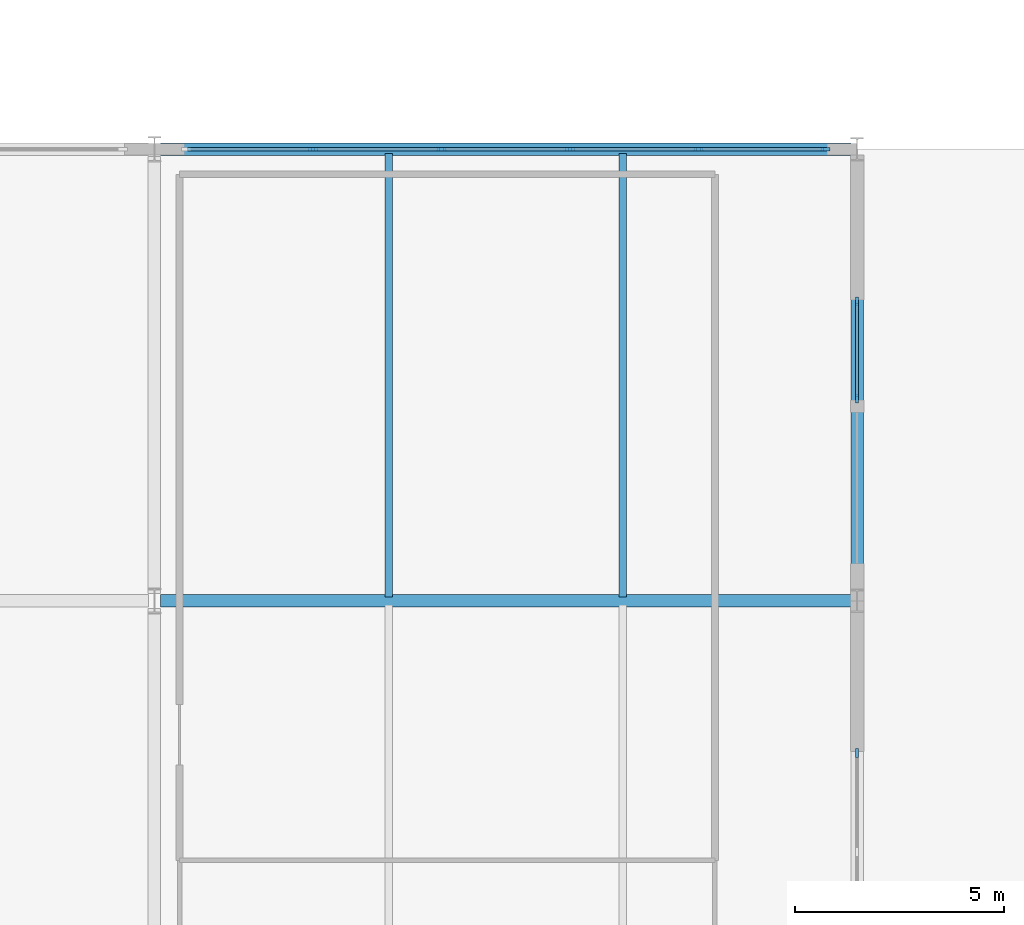
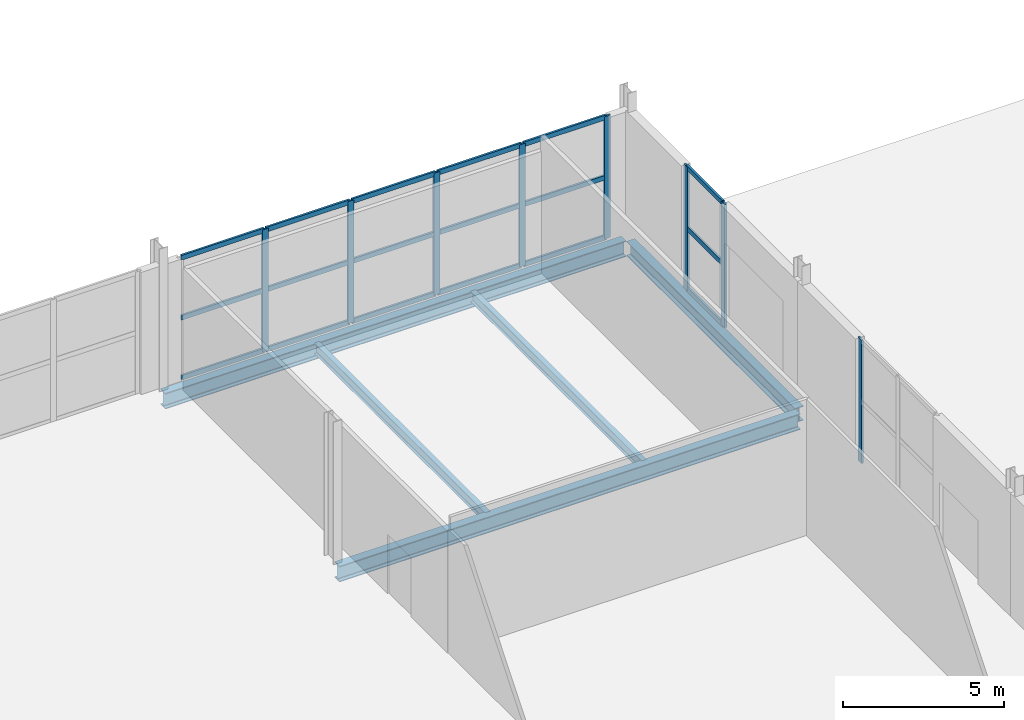
# One storey, part 50 of 87: 26 members, 5 beams, 3 elements without a shape of their own.
"""IFC4 building model written with IfcOpenShell, lengths in metres."""

from ifc_helpers import new_model, si_unit, direction, frame, origin, origin_2d, place, context, subcontext, project, spatial, rectangle, i_section, extrude, material, material_profile, profile_set, type_object, element, aggregate, save


model = new_model("IFC4")

# Units and contexts
model_context = context("Model", 3, precision=1e-05, world=origin(), true_north=direction((0.0, 1.0)))
body_context = subcontext(model_context, "Body", "Model", "MODEL_VIEW")
ifc_project = project(units=[si_unit("LENGTHUNIT", "METRE"), si_unit("AREAUNIT", "SQUARE_METRE"), si_unit("VOLUMEUNIT", "CUBIC_METRE"), si_unit("PLANEANGLEUNIT", "RADIAN"), si_unit("MASSUNIT", "GRAM", prefix="KILO")], contexts=[model_context])

# Site, building, storey
site_placement = place(None, origin())
site = spatial("IfcSite", under=ifc_project, at=site_placement, CompositionType="ELEMENT")
building_placement = place(site_placement, origin())
building = spatial("IfcBuilding", under=site, at=building_placement, Name="Kimbaza Rail Terminus", CompositionType="ELEMENT")
storey_placement = place(building_placement, origin())
storey = spatial("IfcBuildingStorey", under=building, at=storey_placement, Name="L00", CompositionType="ELEMENT", Elevation=0.0)

# Curtain wall, members
ifc_material_1 = material(Name="Anodised aluminium framing and solar low-E glazing", Category="aluminium")
curtain_wall_type = type_object("IfcCurtainWallType", Name="ARC-CW-TH1", PredefinedType="USERDEFINED", material=ifc_material_1)
curtain_wall_1_placement = place(storey_placement, origin())
curtain_wall_1 = element("IfcCurtainWall", 1, at=curtain_wall_1_placement, inside=storey, type_object=curtain_wall_type, Name="Ticket Hall Wing E Curtain Wall L00.2", ObjectType="UNITISED CURTAIN WALL", PredefinedType="USERDEFINED")
ifc_material_2 = material(Name="Anodised architectural aluminium", Category="aluminium")
ifc_material_profile_1 = material_profile(ifc_material_2, rectangle(XDim=0.074951171875, YDim=0.219970703125, at=origin_2d()), Name="MULLION 75x220")
ifc_profile_set_1 = profile_set([ifc_material_profile_1], Name="Anodised architectural aluminium")
member_type_1 = type_object("IfcMemberType", Name="ARC-CWM-01", PredefinedType="MULLION", material=ifc_profile_set_1)
member_1_placement = place(storey_placement, frame((176.592041015625, 91.0, 0.0), z_axis=(0.0, 0.0, 1.0), x_axis=(0.0, 1.0, 0.0)))
member_1 = element("IfcMember", 2, at=member_1_placement, type_object=member_type_1, Name="CW-01 mullion 2", PredefinedType="MULLION", context=body_context, shape_type="SweptSolid", body=[
    extrude(rectangle(XDim=0.074951171875, YDim=0.219970703125, at=origin_2d()), origin(), (0.0, 0.0, 1.0), 4.625),
])
member_2_placement = place(storey_placement, frame((179.6640625, 91.0, 0.0), z_axis=(0.0, 0.0, 1.0), x_axis=(0.0, 1.0, 0.0)))
member_2 = element("IfcMember", 3, at=member_2_placement, type_object=member_type_1, Name="CW-01 mullion 3", PredefinedType="MULLION", context=body_context, shape_type="SweptSolid", body=[
    extrude(rectangle(XDim=0.074951171875, YDim=0.219970703125, at=origin_2d()), origin(), (0.0, 0.0, 1.0), 4.625),
])
member_3_placement = place(storey_placement, frame((182.736083984375, 91.0, 0.0), z_axis=(0.0, 0.0, 1.0), x_axis=(0.0, 1.0, 0.0)))
member_3 = element("IfcMember", 4, at=member_3_placement, type_object=member_type_1, Name="CW-01 mullion 4", PredefinedType="MULLION", context=body_context, shape_type="SweptSolid", body=[
    extrude(rectangle(XDim=0.074951171875, YDim=0.219970703125, at=origin_2d()), origin(), (0.0, 0.0, 1.0), 4.625),
])
member_4_placement = place(storey_placement, frame((185.80810546875, 91.0, 0.0), z_axis=(0.0, 0.0, 1.0), x_axis=(0.0, 1.0, 0.0)))
member_4 = element("IfcMember", 5, at=member_4_placement, type_object=member_type_1, Name="CW-01 mullion 5", PredefinedType="MULLION", context=body_context, shape_type="SweptSolid", body=[
    extrude(rectangle(XDim=0.074951171875, YDim=0.219970703125, at=origin_2d()), origin(), (0.0, 0.0, 1.0), 4.625),
])
member_5_placement = place(storey_placement, frame((188.842529296875, 91.0, 0.0), z_axis=(0.0, 0.0, 1.0), x_axis=(0.0, 1.0, 0.0)))
member_5 = element("IfcMember", 6, at=member_5_placement, type_object=member_type_1, Name="CW-01 mullion 6", PredefinedType="MULLION", context=body_context, shape_type="SweptSolid", body=[
    extrude(rectangle(XDim=0.074951171875, YDim=0.219970703125, at=origin_2d()), origin(), (0.0, 0.0, 1.0), 4.625),
])

# Curtain wall, member
curtain_wall_2_placement = place(storey_placement, origin())
curtain_wall_2 = element("IfcCurtainWall", 7, at=curtain_wall_2_placement, inside=storey, type_object=curtain_wall_type, Name="Ticket Hall E Glazing L00.2", ObjectType="UNITISED CURTAIN WALL", PredefinedType="USERDEFINED")
member_6_placement = place(storey_placement, frame((189.60009765625, 76.5625, 0.0), z_axis=(0.0, 0.0, 1.0), x_axis=(-1.0, 0.0, 0.0)))
member_6 = element("IfcMember", 8, at=member_6_placement, type_object=member_type_1, Name="CW-01 mullion 3", PredefinedType="MULLION", context=body_context, shape_type="SweptSolid", body=[
    extrude(rectangle(XDim=0.074951171875, YDim=0.219970703125, at=origin_2d()), origin(), (0.0, 0.0, 1.0), 4.675048828125),
])
aggregate(curtain_wall_2, [member_6])

# Curtain wall, members
curtain_wall_3_placement = place(storey_placement, origin())
curtain_wall_3 = element("IfcCurtainWall", 9, at=curtain_wall_3_placement, inside=storey, type_object=curtain_wall_type, Name="Ticket Hall E Glazing L00.3", ObjectType="UNITISED CURTAIN WALL", PredefinedType="USERDEFINED")
member_7_placement = place(storey_placement, frame((189.60009765625, 85.03759765625, 0.0), z_axis=(0.0, 0.0, 1.0), x_axis=(-1.0, 0.0, 0.0)))
member_7 = element("IfcMember", 10, at=member_7_placement, type_object=member_type_1, Name="CW-01 mullion 1", PredefinedType="MULLION", context=body_context, shape_type="SweptSolid", body=[
    extrude(rectangle(XDim=0.074951171875, YDim=0.219970703125, at=origin_2d()), origin(), (0.0, 0.0, 1.0), 4.675048828125),
])
member_8_placement = place(storey_placement, frame((189.60009765625, 87.362548828125, 0.0), z_axis=(0.0, 0.0, 1.0), x_axis=(-1.0, 0.0, 0.0)))
member_8 = element("IfcMember", 11, at=member_8_placement, type_object=member_type_1, Name="CW-01 mullion 2", PredefinedType="MULLION", context=body_context, shape_type="SweptSolid", body=[
    extrude(rectangle(XDim=0.074951171875, YDim=0.219970703125, at=origin_2d()), origin(), (0.0, 0.0, 1.0), 4.675048828125),
])

# Member
ifc_material_3 = material(Name="Anodised architectural aluminium", Category="aluminium")
ifc_material_profile_2 = material_profile(ifc_material_3, rectangle(XDim=0.074951171875, YDim=0.179931640625, at=origin_2d()), Name="TRANSOM 75x180")
ifc_profile_set_2 = profile_set([ifc_material_profile_2], Name="Anodised architectural aluminium")
member_type_2 = type_object("IfcMemberType", Name="ARC-CWT-01", PredefinedType="USERDEFINED", material=ifc_profile_set_2)
member_9_placement = place(storey_placement, frame((173.594970703125, 91.0, 0.03759765625), z_axis=(1.0, 0.0, 0.0), x_axis=(0.0, 1.0, 0.0)))
member_9 = element("IfcMember", 12, at=member_9_placement, type_object=member_type_2, Name="CW-01 transom 1.1", ObjectType="TRANSOM", PredefinedType="USERDEFINED", context=body_context, shape_type="SweptSolid", body=[
    extrude(rectangle(XDim=0.074951171875, YDim=0.179931640625, at=origin_2d()), origin(), (0.0, 0.0, 1.0), 2.95947265625),
])

member_10_placement = place(storey_placement, frame((173.594970703125, 91.0, 2.3125), z_axis=(1.0, 0.0, 0.0), x_axis=(0.0, 1.0, 0.0)))
member_10 = element("IfcMember", 13, at=member_10_placement, type_object=member_type_2, Name="CW-01 transom 1.2", ObjectType="TRANSOM", PredefinedType="USERDEFINED", context=body_context, shape_type="SweptSolid", body=[
    extrude(rectangle(XDim=0.074951171875, YDim=0.179931640625, at=origin_2d()), origin(), (0.0, 0.0, 1.0), 2.95947265625),
])

member_11_placement = place(storey_placement, frame((173.594970703125, 91.0, 4.58740234375), z_axis=(1.0, 0.0, 0.0), x_axis=(0.0, 1.0, 0.0)))
member_11 = element("IfcMember", 14, at=member_11_placement, type_object=member_type_2, Name="CW-01 transom 1.3", ObjectType="TRANSOM", PredefinedType="USERDEFINED", context=body_context, shape_type="SweptSolid", body=[
    extrude(rectangle(XDim=0.074951171875, YDim=0.179931640625, at=origin_2d()), origin(), (0.0, 0.0, 1.0), 2.95947265625),
])

member_12_placement = place(storey_placement, frame((176.62939453125, 91.0, 0.03759765625), z_axis=(1.0, 0.0, 0.0), x_axis=(0.0, 1.0, 0.0)))
member_12 = element("IfcMember", 15, at=member_12_placement, type_object=member_type_2, Name="CW-01 transom 2.1", ObjectType="TRANSOM", PredefinedType="USERDEFINED", context=body_context, shape_type="SweptSolid", body=[
    extrude(rectangle(XDim=0.074951171875, YDim=0.179931640625, at=origin_2d()), origin(), (0.0, 0.0, 1.0), 2.9970703125),
])

member_13_placement = place(storey_placement, frame((176.62939453125, 91.0, 2.3125), z_axis=(1.0, 0.0, 0.0), x_axis=(0.0, 1.0, 0.0)))
member_13 = element("IfcMember", 16, at=member_13_placement, type_object=member_type_2, Name="CW-01 transom 2.2", ObjectType="TRANSOM", PredefinedType="USERDEFINED", context=body_context, shape_type="SweptSolid", body=[
    extrude(rectangle(XDim=0.074951171875, YDim=0.179931640625, at=origin_2d()), origin(), (0.0, 0.0, 1.0), 2.9970703125),
])

member_14_placement = place(storey_placement, frame((176.62939453125, 91.0, 4.58740234375), z_axis=(1.0, 0.0, 0.0), x_axis=(0.0, 1.0, 0.0)))
member_14 = element("IfcMember", 17, at=member_14_placement, type_object=member_type_2, Name="CW-01 transom 2.3", ObjectType="TRANSOM", PredefinedType="USERDEFINED", context=body_context, shape_type="SweptSolid", body=[
    extrude(rectangle(XDim=0.074951171875, YDim=0.179931640625, at=origin_2d()), origin(), (0.0, 0.0, 1.0), 2.9970703125),
])

member_15_placement = place(storey_placement, frame((179.701416015625, 91.0, 0.03759765625), z_axis=(1.0, 0.0, 0.0), x_axis=(0.0, 1.0, 0.0)))
member_15 = element("IfcMember", 18, at=member_15_placement, type_object=member_type_2, Name="CW-01 transom 3.1", ObjectType="TRANSOM", PredefinedType="USERDEFINED", context=body_context, shape_type="SweptSolid", body=[
    extrude(rectangle(XDim=0.074951171875, YDim=0.179931640625, at=origin_2d()), origin(), (0.0, 0.0, 1.0), 2.9970703125),
])

member_16_placement = place(storey_placement, frame((179.701416015625, 91.0, 2.3125), z_axis=(1.0, 0.0, 0.0), x_axis=(0.0, 1.0, 0.0)))
member_16 = element("IfcMember", 19, at=member_16_placement, type_object=member_type_2, Name="CW-01 transom 3.2", ObjectType="TRANSOM", PredefinedType="USERDEFINED", context=body_context, shape_type="SweptSolid", body=[
    extrude(rectangle(XDim=0.074951171875, YDim=0.179931640625, at=origin_2d()), origin(), (0.0, 0.0, 1.0), 2.9970703125),
])

member_17_placement = place(storey_placement, frame((179.701416015625, 91.0, 4.58740234375), z_axis=(1.0, 0.0, 0.0), x_axis=(0.0, 1.0, 0.0)))
member_17 = element("IfcMember", 20, at=member_17_placement, type_object=member_type_2, Name="CW-01 transom 3.3", ObjectType="TRANSOM", PredefinedType="USERDEFINED", context=body_context, shape_type="SweptSolid", body=[
    extrude(rectangle(XDim=0.074951171875, YDim=0.179931640625, at=origin_2d()), origin(), (0.0, 0.0, 1.0), 2.9970703125),
])

member_18_placement = place(storey_placement, frame((182.7734375, 91.0, 0.03759765625), z_axis=(1.0, 0.0, 0.0), x_axis=(0.0, 1.0, 0.0)))
member_18 = element("IfcMember", 21, at=member_18_placement, type_object=member_type_2, Name="CW-01 transom 4.1", ObjectType="TRANSOM", PredefinedType="USERDEFINED", context=body_context, shape_type="SweptSolid", body=[
    extrude(rectangle(XDim=0.074951171875, YDim=0.179931640625, at=origin_2d()), origin(), (0.0, 0.0, 1.0), 2.9970703125),
])

member_19_placement = place(storey_placement, frame((182.7734375, 91.0, 2.3125), z_axis=(1.0, 0.0, 0.0), x_axis=(0.0, 1.0, 0.0)))
member_19 = element("IfcMember", 22, at=member_19_placement, type_object=member_type_2, Name="CW-01 transom 4.2", ObjectType="TRANSOM", PredefinedType="USERDEFINED", context=body_context, shape_type="SweptSolid", body=[
    extrude(rectangle(XDim=0.074951171875, YDim=0.179931640625, at=origin_2d()), origin(), (0.0, 0.0, 1.0), 2.9970703125),
])

member_20_placement = place(storey_placement, frame((182.7734375, 91.0, 4.58740234375), z_axis=(1.0, 0.0, 0.0), x_axis=(0.0, 1.0, 0.0)))
member_20 = element("IfcMember", 23, at=member_20_placement, type_object=member_type_2, Name="CW-01 transom 4.3", ObjectType="TRANSOM", PredefinedType="USERDEFINED", context=body_context, shape_type="SweptSolid", body=[
    extrude(rectangle(XDim=0.074951171875, YDim=0.179931640625, at=origin_2d()), origin(), (0.0, 0.0, 1.0), 2.9970703125),
])

member_21_placement = place(storey_placement, frame((185.845458984375, 91.0, 0.03759765625), z_axis=(1.0, 0.0, 0.0), x_axis=(0.0, 1.0, 0.0)))
member_21 = element("IfcMember", 24, at=member_21_placement, type_object=member_type_2, Name="CW-01 transom 5.1", ObjectType="TRANSOM", PredefinedType="USERDEFINED", context=body_context, shape_type="SweptSolid", body=[
    extrude(rectangle(XDim=0.074951171875, YDim=0.179931640625, at=origin_2d()), origin(), (0.0, 0.0, 1.0), 2.95947265625),
])

member_22_placement = place(storey_placement, frame((185.845458984375, 91.0, 2.3125), z_axis=(1.0, 0.0, 0.0), x_axis=(0.0, 1.0, 0.0)))
member_22 = element("IfcMember", 25, at=member_22_placement, type_object=member_type_2, Name="CW-01 transom 5.2", ObjectType="TRANSOM", PredefinedType="USERDEFINED", context=body_context, shape_type="SweptSolid", body=[
    extrude(rectangle(XDim=0.074951171875, YDim=0.179931640625, at=origin_2d()), origin(), (0.0, 0.0, 1.0), 2.95947265625),
])

member_23_placement = place(storey_placement, frame((185.845458984375, 91.0, 4.58740234375), z_axis=(1.0, 0.0, 0.0), x_axis=(0.0, 1.0, 0.0)))
member_23 = element("IfcMember", 26, at=member_23_placement, type_object=member_type_2, Name="CW-01 transom 5.3", ObjectType="TRANSOM", PredefinedType="USERDEFINED", context=body_context, shape_type="SweptSolid", body=[
    extrude(rectangle(XDim=0.074951171875, YDim=0.179931640625, at=origin_2d()), origin(), (0.0, 0.0, 1.0), 2.95947265625),
])

aggregate(curtain_wall_1, [member_1, member_2, member_3, member_4, member_5, member_9, member_10, member_11, member_12, member_13, member_14, member_15, member_16, member_17, member_18, member_19, member_20, member_21, member_22, member_23])

member_24_placement = place(storey_placement, frame((189.60009765625, 85.074951171875, 0.03759765625), z_axis=(0.0, 1.0, 0.0), x_axis=(-1.0, 0.0, 0.0)))
member_24 = element("IfcMember", 27, at=member_24_placement, type_object=member_type_2, Name="CW-01 transom 1.1", ObjectType="TRANSOM", PredefinedType="USERDEFINED", context=body_context, shape_type="SweptSolid", body=[
    extrude(rectangle(XDim=0.074951171875, YDim=0.179931640625, at=origin_2d()), origin(), (0.0, 0.0, 1.0), 2.25),
])

member_25_placement = place(storey_placement, frame((189.60009765625, 85.074951171875, 2.33740234375), z_axis=(0.0, 1.0, 0.0), x_axis=(-1.0, 0.0, 0.0)))
member_25 = element("IfcMember", 28, at=member_25_placement, type_object=member_type_2, Name="CW-01 transom 1.2", ObjectType="TRANSOM", PredefinedType="USERDEFINED", context=body_context, shape_type="SweptSolid", body=[
    extrude(rectangle(XDim=0.074951171875, YDim=0.179931640625, at=origin_2d()), origin(), (0.0, 0.0, 1.0), 2.25),
])

member_26_placement = place(storey_placement, frame((189.60009765625, 85.074951171875, 4.637451171875), z_axis=(0.0, 1.0, 0.0), x_axis=(-1.0, 0.0, 0.0)))
member_26 = element("IfcMember", 29, at=member_26_placement, type_object=member_type_2, Name="CW-01 transom 1.3", ObjectType="TRANSOM", PredefinedType="USERDEFINED", context=body_context, shape_type="SweptSolid", body=[
    extrude(rectangle(XDim=0.074951171875, YDim=0.179931640625, at=origin_2d()), origin(), (0.0, 0.0, 1.0), 2.25),
])

aggregate(curtain_wall_3, [member_7, member_8, member_24, member_25, member_26])

# Beams
ifc_material_4 = material(Name="Steel S355", Category="steel")
ifc_material_profile_3 = material_profile(ifc_material_4, i_section(OverallWidth=0.300048828125, OverallDepth=0.550048828125, WebThickness=0.014892578125, FlangeThickness=0.029052734375, FilletRadius=0.027099609375, at=origin_2d()), Name="HEB 550")
ifc_profile_set_3 = profile_set([ifc_material_profile_3], Name="Steel S355")
beam_type_1 = type_object("IfcBeamType", Name="STR-BM-HEB550", PredefinedType="BEAM", material=ifc_profile_set_3)
beam_placement = place(storey_placement, frame((189.60009765625, 80.375, -0.52490234375), z_axis=(0.0, 1.0, 0.0), x_axis=(-1.0, 0.0, 0.0)))
element("IfcBeam", 30, at=beam_placement, inside=storey, type_object=beam_type_1, Name="Beam BM-V2WY-L00-1-80", PredefinedType="BEAM", context=body_context, shape_type="SweptSolid", body=[
    extrude(i_section(OverallWidth=0.300048828125, OverallDepth=0.550048828125, WebThickness=0.014892578125, FlangeThickness=0.029052734375, FilletRadius=0.027099609375, at=origin_2d()), origin(), (0.0, 0.0, 1.0), 10.449951171875),
])
ifc_material_5 = material(Name="Steel S355", Category="steel")
ifc_material_profile_4 = material_profile(ifc_material_5, i_section(OverallWidth=0.300048828125, OverallDepth=0.60009765625, WebThickness=0.015380859375, FlangeThickness=0.030029296875, FilletRadius=0.027099609375, at=origin_2d()), Name="HEB 600")
ifc_profile_set_4 = profile_set([ifc_material_profile_4], Name="Steel S355")
beam_type_2 = type_object("IfcBeamType", Name="STR-BM-HEB600", PredefinedType="BEAM", material=ifc_profile_set_4)
for number, where, z_axis, x_axis, name in (
    (31, (172.946044921875, 80.199951171875, -0.550048828125), (1.0, 0.0, 0.0), (0.0, 1.0, 0.0), "Beam BM-V2X-L00-5-8"),
    (32, (172.946044921875, 91.0, -0.550048828125), (1.0, 0.0, 0.0), (0.0, 1.0, 0.0), "Beam BM-V2X-L00-6-8"),
):
    element("IfcBeam", number, at=place(storey_placement, frame(where, z_axis=z_axis, x_axis=x_axis)), inside=storey, type_object=beam_type_2, Name=name, PredefinedType="BEAM", context=body_context, shape_type="SweptSolid", body=[
        extrude(i_section(OverallWidth=0.300048828125, OverallDepth=0.60009765625, WebThickness=0.015380859375, FlangeThickness=0.030029296875, FilletRadius=0.027099609375, at=origin_2d()), origin(), (0.0, 0.0, 1.0), 16.508056640625),
    ])
ifc_material_6 = material(Name="Steel S355", Category="steel")
ifc_material_profile_5 = material_profile(ifc_material_6, i_section(OverallWidth=0.179931640625, OverallDepth=0.39990234375, WebThickness=0.008544921875, FlangeThickness=0.013427734375, FilletRadius=0.02099609375, at=origin_2d()), Name="IPE 400")
ifc_profile_set_5 = profile_set([ifc_material_profile_5], Name="Steel S355")
beam_type_3 = type_object("IfcBeamType", Name="STR-BM-IPE400", PredefinedType="JOIST", material=ifc_profile_set_5)
for number, where, z_axis, x_axis, name in (
    (33, (178.39990234375, 80.300048828125, -0.449951171875), (0.0, 1.0, 0.0), (-1.0, 0.0, 0.0), "Beam JST-V2-L00-8-1-80"),
    (34, (184.0, 80.300048828125, -0.449951171875), (0.0, 1.0, 0.0), (-1.0, 0.0, 0.0), "Beam JST-V2-L00-8-2-80"),
):
    element("IfcBeam", number, at=place(storey_placement, frame(where, z_axis=z_axis, x_axis=x_axis)), inside=storey, type_object=beam_type_3, Name=name, PredefinedType="JOIST", context=body_context, shape_type="SweptSolid", body=[
        extrude(i_section(OverallWidth=0.179931640625, OverallDepth=0.39990234375, WebThickness=0.008544921875, FlangeThickness=0.013427734375, FilletRadius=0.02099609375, at=origin_2d()), origin(), (0.0, 0.0, 1.0), 10.599853515625),
    ])

save(model, "model.ifc")
